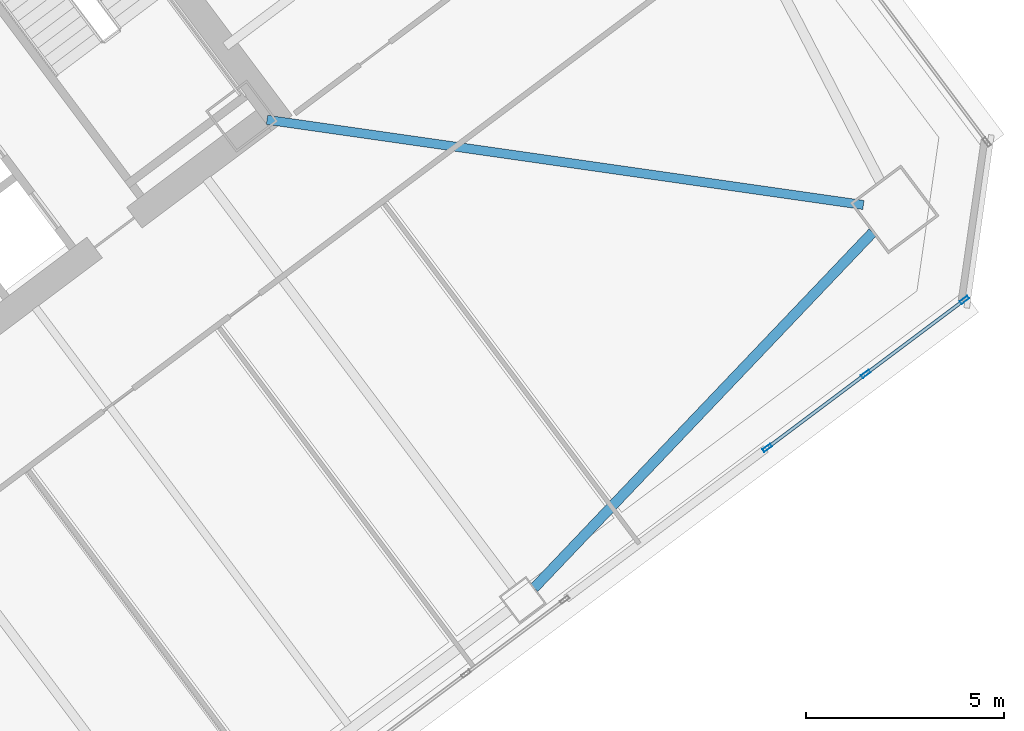
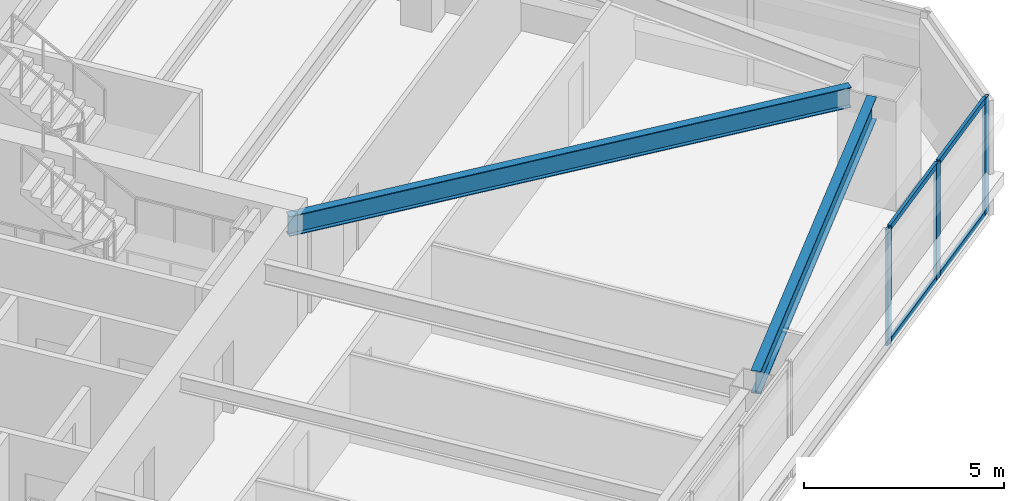
# One storey, part 26 of 47: 7 members, 2 beams, 1 element without a shape of its own.
"""IFC4 building model written with IfcOpenShell, lengths in metres."""

from ifc_helpers import new_model, si_unit, direction, frame, origin, origin_2d, place, context, subcontext, project, spatial, hollow_rectangle, i_section, extrude, material, material_profile, profile_set, type_object, element, aggregate, save


model = new_model("IFC4")

# Units and contexts
model_context = context("Model", 3, precision=1e-05, world=origin(), true_north=direction((0.0, 1.0)))
body_context = subcontext(model_context, "Body", "Model", "MODEL_VIEW")
ifc_project = project(units=[si_unit("LENGTHUNIT", "METRE"), si_unit("AREAUNIT", "SQUARE_METRE"), si_unit("VOLUMEUNIT", "CUBIC_METRE"), si_unit("PLANEANGLEUNIT", "RADIAN"), si_unit("MASSUNIT", "GRAM", prefix="KILO")], contexts=[model_context])

# Site, building, storey
site_placement = place(None, origin())
site = spatial("IfcSite", under=ifc_project, at=site_placement, CompositionType="ELEMENT")
building_placement = place(site_placement, origin())
building = spatial("IfcBuilding", under=site, at=building_placement, Name="Tashvorn Skyway Center", CompositionType="ELEMENT")
storey_placement = place(building_placement, frame((0.0, 0.0, 42.35009765625)))
storey = spatial("IfcBuildingStorey", under=building, at=storey_placement, Name="L10", CompositionType="ELEMENT", Elevation=42.35009765625)

# Beams
ifc_material_1 = material(Name="Steel ASTM A992 Grade 50", Category="steel")
ifc_material_profile_1 = material_profile(ifc_material_1, i_section(OverallWidth=0.22998046875, OverallDepth=0.616943359375, WebThickness=0.01318359375, FlangeThickness=0.022216796875, at=origin_2d()), Name="W24X94")
ifc_profile_set_1 = profile_set([ifc_material_profile_1], Name="Steel ASTM A992 Grade 50")
beam_type_1 = type_object("IfcBeamType", Name="BM-BEAM-W24X94", PredefinedType="BEAM", material=ifc_profile_set_1)
beam_1_placement = place(storey_placement, frame((139.532958984375, 28.3525390625, 3.04150390625), z_axis=(-0.989950458816, 0.141414599991, 0.0), x_axis=(-0.141414599991, -0.989950458816, 0.0)))
element("IfcBeam", 1, at=beam_1_placement, inside=storey, type_object=beam_type_1, Name="Tower 2 L10 Primary Floor Girder MC-SE", PredefinedType="BEAM", context=body_context, shape_type="SweptSolid", body=[
    extrude(i_section(OverallWidth=0.22998046875, OverallDepth=0.616943359375, WebThickness=0.01318359375, FlangeThickness=0.022216796875, at=origin_2d()), origin(), (0.0, 0.0, 1.0), 15.177001953125),
])
ifc_material_profile_2 = material_profile(ifc_material_1, i_section(OverallWidth=0.256103515625, OverallDepth=0.693115234375, WebThickness=0.014404296875, FlangeThickness=0.023681640625, at=origin_2d()), Name="W27X114")
ifc_profile_set_2 = profile_set([ifc_material_profile_2], Name="Steel ASTM A992 Grade 50")
beam_type_2 = type_object("IfcBeamType", Name="BM-SPANDREL-W27X114", PredefinedType="SPANDREL", material=ifc_profile_set_2)
beam_2_placement = place(storey_placement, frame((131.23974609375, 18.7041015625, 3.00341796875), z_axis=(0.689589637236, 0.724200339835, 0.0), x_axis=(-0.724200339835, 0.689589637236, 0.0)))
element("IfcBeam", 2, at=beam_2_placement, inside=storey, type_object=beam_type_2, Name="Tower 2 L10 Spandrel Beam 03", PredefinedType="SPANDREL", context=body_context, shape_type="SweptSolid", body=[
    extrude(i_section(OverallWidth=0.256103515625, OverallDepth=0.693115234375, WebThickness=0.014404296875, FlangeThickness=0.023681640625, at=origin_2d()), origin(), (0.0, 0.0, 1.0), 12.37255859375),
])

# Curtain wall, members
ifc_material_2 = material(Name="Thermally broken bronze-anodized aluminium 6063-T6", Category="aluminium")
curtain_wall_type = type_object("IfcCurtainWallType", Name="CW-CW-Z1", PredefinedType="NOTDEFINED", material=ifc_material_2)
curtain_wall_placement = place(storey_placement, origin())
curtain_wall = element("IfcCurtainWall", 3, at=curtain_wall_placement, inside=storey, type_object=curtain_wall_type, Name="Tower 2 L10 South Unitised Curtain Wall Glazing Group 1", PredefinedType="NOTDEFINED")
ifc_material_profile_3 = material_profile(ifc_material_2, hollow_rectangle(XDim=0.0849609375, YDim=0.239990234375, WallThickness=0.0048828125, at=origin_2d()), Name="ALU-MULL-85x240")
ifc_profile_set_3 = profile_set([ifc_material_profile_3], Name="Thermally broken bronze-anodized aluminium 6063-T6")
member_type_1 = type_object("IfcMemberType", Name="CWM-CW-Z1", PredefinedType="MULLION", material=ifc_profile_set_3)
member_1_placement = place(storey_placement, frame((142.077880859375, 25.95849609375, 0.0), z_axis=(0.0, 0.0, 1.0), x_axis=(0.599997457641, -0.800001906763, 0.0)))
member_1 = element("IfcMember", 4, at=member_1_placement, type_object=member_type_1, Name="CW-Z1 mullion 1", PredefinedType="MULLION", context=body_context, shape_type="SweptSolid", body=[
    extrude(hollow_rectangle(XDim=0.0849609375, YDim=0.239990234375, WallThickness=0.0048828125, at=origin_2d()), origin(), (0.0, 0.0, 1.0), 3.5498046875),
])
member_2_placement = place(storey_placement, frame((139.5947265625, 24.095947265625, 0.0), z_axis=(0.0, 0.0, 1.0), x_axis=(0.599997457641, -0.800001906763, 0.0)))
member_2 = element("IfcMember", 5, at=member_2_placement, type_object=member_type_1, Name="CW-Z1 mullion 2", PredefinedType="MULLION", context=body_context, shape_type="SweptSolid", body=[
    extrude(hollow_rectangle(XDim=0.0849609375, YDim=0.239990234375, WallThickness=0.0048828125, at=origin_2d()), origin(), (0.0, 0.0, 1.0), 3.5498046875),
])
member_3_placement = place(storey_placement, frame((137.111328125, 22.2333984375, 0.0), z_axis=(0.0, 0.0, 1.0), x_axis=(0.599997457641, -0.800001906763, 0.0)))
member_3 = element("IfcMember", 6, at=member_3_placement, type_object=member_type_1, Name="CW-Z1 mullion 3", PredefinedType="MULLION", context=body_context, shape_type="SweptSolid", body=[
    extrude(hollow_rectangle(XDim=0.0849609375, YDim=0.239990234375, WallThickness=0.0048828125, at=origin_2d()), origin(), (0.0, 0.0, 1.0), 3.5498046875),
])
ifc_material_profile_4 = material_profile(ifc_material_2, hollow_rectangle(XDim=0.0849609375, YDim=0.1650390625, WallThickness=0.0048828125, at=origin_2d()), Name="ALU-TRAN-85x165")
ifc_profile_set_4 = profile_set([ifc_material_profile_4], Name="Thermally broken bronze-anodized aluminium 6063-T6")
member_type_2 = type_object("IfcMemberType", Name="CWT-CW-Z1", PredefinedType="USERDEFINED", material=ifc_profile_set_4)
member_4_placement = place(storey_placement, frame((142.0439453125, 25.93310546875, 0.04248046875), z_axis=(-0.799990296182, -0.600012938206, 0.0), x_axis=(0.600012938206, -0.799990296182, 0.0)))
member_4 = element("IfcMember", 7, at=member_4_placement, type_object=member_type_2, Name="CW-Z1 transom 1.1", ObjectType="TRANSOM", PredefinedType="USERDEFINED", context=body_context, shape_type="SweptSolid", body=[
    extrude(hollow_rectangle(XDim=0.0849609375, YDim=0.1650390625, WallThickness=0.0048828125, at=origin_2d()), origin(), (0.0, 0.0, 1.0), 3.01904296875),
])
member_5_placement = place(storey_placement, frame((142.0439453125, 25.93310546875, 3.50732421875), z_axis=(-0.799990296182, -0.600012938206, 0.0), x_axis=(0.600012938206, -0.799990296182, 0.0)))
member_5 = element("IfcMember", 8, at=member_5_placement, type_object=member_type_2, Name="CW-Z1 transom 1.2", ObjectType="TRANSOM", PredefinedType="USERDEFINED", context=body_context, shape_type="SweptSolid", body=[
    extrude(hollow_rectangle(XDim=0.0849609375, YDim=0.1650390625, WallThickness=0.0048828125, at=origin_2d()), origin(), (0.0, 0.0, 1.0), 3.01904296875),
])
member_6_placement = place(storey_placement, frame((139.560546875, 24.070556640625, 0.04248046875), z_axis=(-0.799990296182, -0.600012938206, 0.0), x_axis=(0.600012938206, -0.799990296182, 0.0)))
member_6 = element("IfcMember", 9, at=member_6_placement, type_object=member_type_2, Name="CW-Z1 transom 2.1", ObjectType="TRANSOM", PredefinedType="USERDEFINED", context=body_context, shape_type="SweptSolid", body=[
    extrude(hollow_rectangle(XDim=0.0849609375, YDim=0.1650390625, WallThickness=0.0048828125, at=origin_2d()), origin(), (0.0, 0.0, 1.0), 3.01904296875),
])
member_7_placement = place(storey_placement, frame((139.560546875, 24.070556640625, 3.50732421875), z_axis=(-0.799990296182, -0.600012938206, 0.0), x_axis=(0.600012938206, -0.799990296182, 0.0)))
member_7 = element("IfcMember", 10, at=member_7_placement, type_object=member_type_2, Name="CW-Z1 transom 2.2", ObjectType="TRANSOM", PredefinedType="USERDEFINED", context=body_context, shape_type="SweptSolid", body=[
    extrude(hollow_rectangle(XDim=0.0849609375, YDim=0.1650390625, WallThickness=0.0048828125, at=origin_2d()), origin(), (0.0, 0.0, 1.0), 3.01904296875),
])
aggregate(curtain_wall, [member_1, member_2, member_3, member_4, member_5, member_6, member_7])

save(model, "model.ifc")
